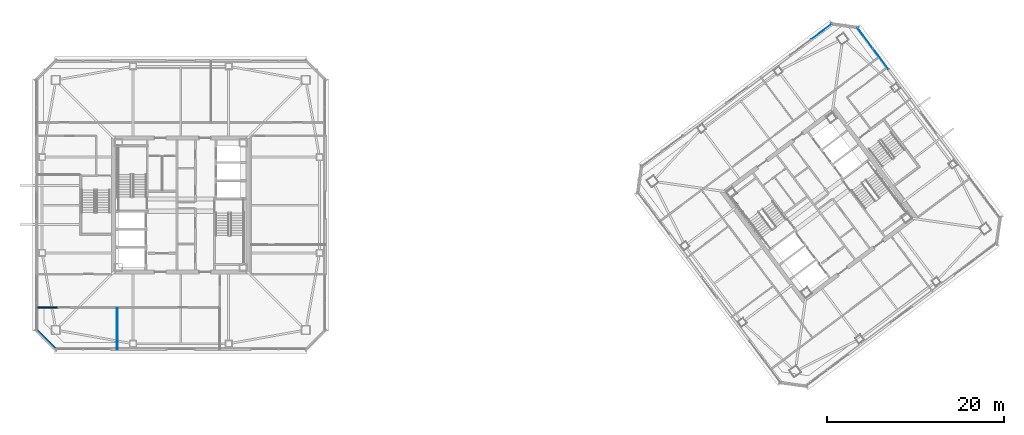
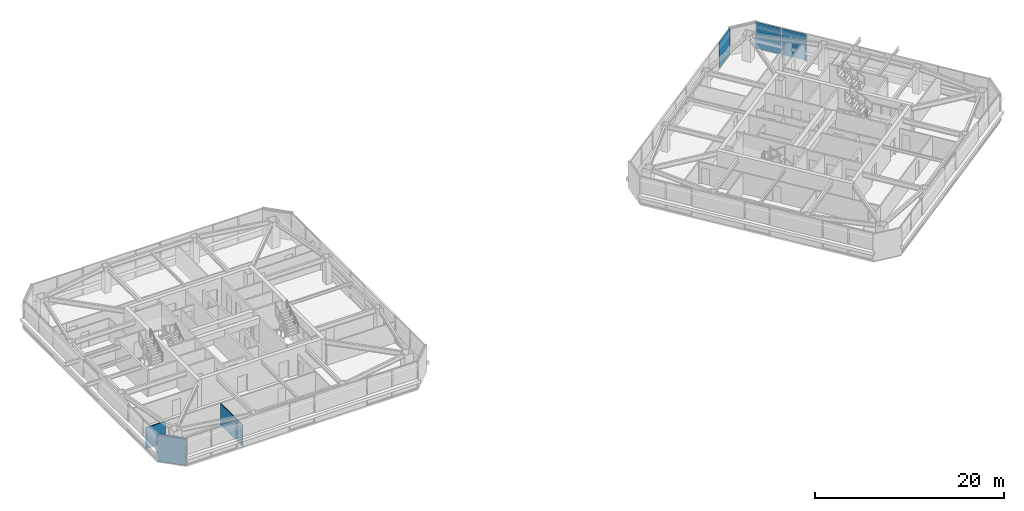
# One storey, part 33 of 44: 3 plates, 3 walls, 2 elements without a shape of their own.
"""IFC4 building model written with IfcOpenShell, lengths in metres."""

from ifc_helpers import new_model, si_unit, direction, frame, frame_2d, origin, origin_2d, place, context, subcontext, project, spatial, rectangle, extrude, material, layer, layer_set, type_object, element, aggregate, save


model = new_model("IFC4")

# Units and contexts
model_context = context("Model", 3, precision=1e-05, world=origin(), true_north=direction((0.0, 1.0)))
body_context = subcontext(model_context, "Body", "Model", "MODEL_VIEW")
ifc_project = project(units=[si_unit("LENGTHUNIT", "METRE"), si_unit("AREAUNIT", "SQUARE_METRE"), si_unit("VOLUMEUNIT", "CUBIC_METRE"), si_unit("PLANEANGLEUNIT", "RADIAN"), si_unit("MASSUNIT", "GRAM", prefix="KILO")], contexts=[model_context])

# Site, building, storey
site_placement = place(None, origin())
site = spatial("IfcSite", under=ifc_project, at=site_placement, CompositionType="ELEMENT")
building_placement = place(site_placement, origin())
building = spatial("IfcBuilding", under=site, at=building_placement, Name="Tashvorn Skyway Center", CompositionType="ELEMENT")
storey_placement = place(building_placement, frame((0.0, 0.0, 211.300048828125)))
storey = spatial("IfcBuildingStorey", under=building, at=storey_placement, Name="L57", CompositionType="ELEMENT", Elevation=211.300048828125)

# Curtain wall, plate
ifc_material_1 = material(Name="Thermally broken bronze-anodized aluminium 6063-T6", Category="aluminium")
curtain_wall_type = type_object("IfcCurtainWallType", Name="CW-CW-Z5", PredefinedType="NOTDEFINED", material=ifc_material_1)
curtain_wall_1_placement = place(storey_placement, origin())
curtain_wall_1 = element("IfcCurtainWall", 1, at=curtain_wall_1_placement, inside=storey, type_object=curtain_wall_type, Name="Tower 2 L57 North Unitised Curtain Wall Glazing Group 3", PredefinedType="NOTDEFINED")
ifc_material_2 = material(Name="Low-E solar-control double insulating safety glass", Category="glass")
ifc_layer_1 = layer(ifc_material_2, 0.031982421875)
ifc_layer_set_1 = layer_set([ifc_layer_1], Name="Low-E solar-control double insulating safety glass")
plate_type = type_object("IfcPlateType", Name="CWP-CW-Z5", PredefinedType="CURTAIN_PANEL", material=ifc_layer_set_1)
plate_1_placement = place(storey_placement, frame((114.28369140625, 51.562744140625, 0.06982421875), z_axis=(0.0, 0.0, 1.0), x_axis=(0.79999799704, 0.600002670604, 0.0)))
plate_1 = element("IfcPlate", 2, at=plate_1_placement, type_object=plate_type, Name="CW-Z5 panel 2.1", PredefinedType="CURTAIN_PANEL", context=body_context, shape_type="SweptSolid", body=[
    extrude(rectangle(XDim=2.890625, YDim=0.031982421875, at=origin_2d()), origin(), (0.0, 0.0, 1.0), 3.409912109375),
])
aggregate(curtain_wall_1, [plate_1])

# Curtain wall, plates
curtain_wall_2_placement = place(storey_placement, origin())
curtain_wall_2 = element("IfcCurtainWall", 3, at=curtain_wall_2_placement, inside=storey, type_object=curtain_wall_type, Name="Tower 2 L57 East Unitised Curtain Wall Glazing Group 1", PredefinedType="NOTDEFINED")
plate_2_placement = place(storey_placement, frame((119.205078125, 50.85986328125, 0.06982421875), z_axis=(0.0, 0.0, 1.0), x_axis=(0.600002670604, -0.79999799704, 0.0)))
plate_2 = element("IfcPlate", 4, at=plate_2_placement, type_object=plate_type, Name="CW-Z5 panel 1.1", PredefinedType="CURTAIN_PANEL", context=body_context, shape_type="SweptSolid", body=[
    extrude(rectangle(XDim=2.890625, YDim=0.031982421875, at=origin_2d()), origin(), (0.0, 0.0, 1.0), 3.409912109375),
])
plate_3_placement = place(storey_placement, frame((120.9814453125, 48.4912109375, 0.06982421875), z_axis=(0.0, 0.0, 1.0), x_axis=(0.600002670604, -0.79999799704, 0.0)))
plate_3 = element("IfcPlate", 5, at=plate_3_placement, type_object=plate_type, Name="CW-Z5 panel 2.1", PredefinedType="CURTAIN_PANEL", context=body_context, shape_type="SweptSolid", body=[
    extrude(rectangle(XDim=2.890625, YDim=0.031982421875, at=origin_2d()), origin(), (0.0, 0.0, 1.0), 3.409912109375),
])
aggregate(curtain_wall_2, [plate_2, plate_3])

# Walls
ifc_material_3 = material(Name="Precast concrete C40/50", Category="concrete")
ifc_layer_2 = layer(ifc_material_3, 0.280029296875)
ifc_layer_set_2 = layer_set([ifc_layer_2], Name="Precast concrete C40/50")
wall_type_1 = type_object("IfcWallType", Name="WALL-EXT-280", PredefinedType="SOLIDWALL", material=ifc_layer_set_2)
wall_1_placement = place(storey_placement, frame((27.89990234375, 15.699951171875, 0.0), z_axis=(0.0, 0.0, 1.0), x_axis=(-0.707106781187, 0.707106781187, 0.0)))
element("IfcWall", 6, at=wall_1_placement, inside=storey, type_object=wall_type_1, Name="Tower 1 L57 SW Precast Chamfer Wall", PredefinedType="SOLIDWALL", context=body_context, shape_type="SweptSolid", body=[
    extrude(rectangle(XDim=3.111083984375, YDim=0.280029296875, at=frame_2d((1.5556640625, 0.0))), origin(), (0.0, 0.0, 1.0), 3.369873046875),
])
ifc_material_4 = material(Name="Gypsum board on cold-formed steel stud framing", Category="steel")
ifc_layer_3 = layer(ifc_material_4, 0.110107421875)
ifc_layer_set_3 = layer_set([ifc_layer_3], Name="Gypsum board on cold-formed steel stud framing")
wall_type_2 = type_object("IfcWallType", Name="WALL-PART-110", PredefinedType="PARTITIONING", material=ifc_layer_set_3)
wall_2_placement = place(storey_placement, frame((34.800048828125, 15.719970703125, 0.0), z_axis=(0.0, 0.0, 1.0), x_axis=(0.0, 1.0, 0.0)))
element("IfcWall", 7, at=wall_2_placement, inside=storey, type_object=wall_type_2, Name="Tower 1 L57 South Suite Partition 1", PredefinedType="PARTITIONING", context=body_context, shape_type="SweptSolid", body=[
    extrude(rectangle(XDim=4.630126953125, YDim=0.110107421875, at=frame_2d((2.31494140625, 0.0))), origin(), (0.0, 0.0, 1.0), 2.722900390625),
])
ifc_layer_4 = layer(ifc_material_4, 0.135009765625)
ifc_layer_set_4 = layer_set([ifc_layer_4], Name="Gypsum board on cold-formed steel stud framing")
wall_type_3 = type_object("IfcWallType", Name="WALL-PART-135", PredefinedType="PARTITIONING", material=ifc_layer_set_4)
wall_3_placement = place(storey_placement, frame((25.719970703125, 20.429931640625, 0.0), z_axis=(0.0, 0.0, 1.0), x_axis=(1.0, 0.0, 0.0)))
element("IfcWall", 8, at=wall_3_placement, inside=storey, type_object=wall_type_3, Name="Tower 1 L57 South-West Suite North Wall", PredefinedType="PARTITIONING", context=body_context, shape_type="SweptSolid", body=[
    extrude(rectangle(XDim=2.330078125, YDim=0.135009765625, at=frame_2d((1.1650390625, 0.0))), origin(), (0.0, 0.0, 1.0), 2.722900390625),
])

save(model, "model.ifc")
